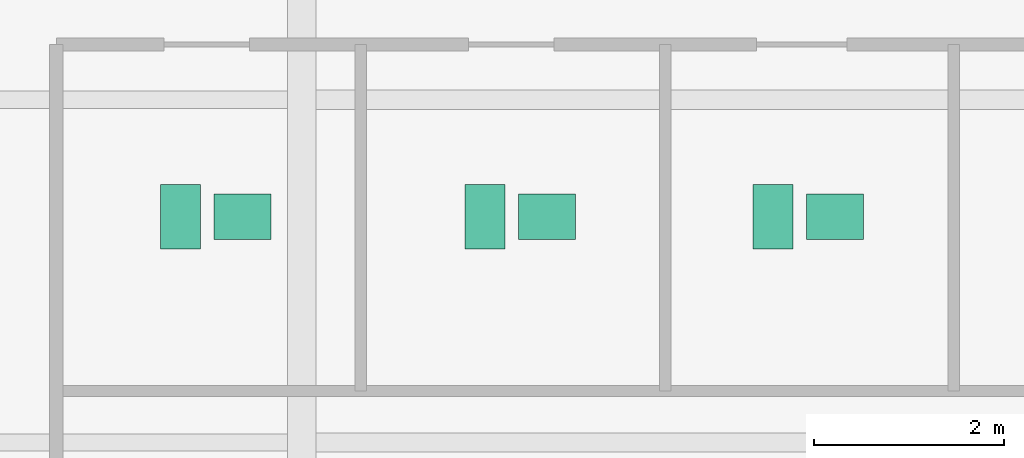
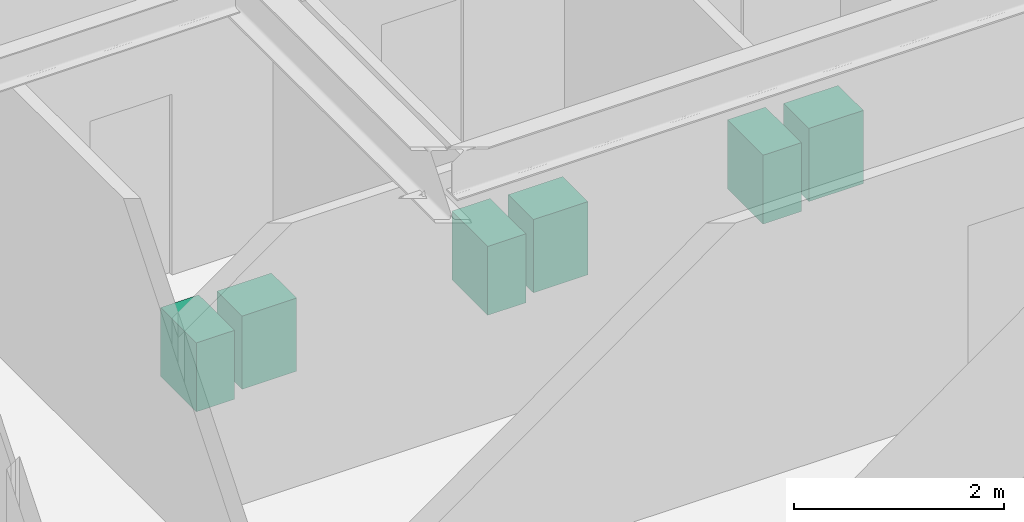
# One storey, part 27 of 27: 6 sanitary terminals.
"""IFC4 building model written with IfcOpenShell, lengths in metres."""

from ifc_helpers import new_model, si_unit, direction, frame, origin, origin_2d, place, context, subcontext, project, spatial, rectangle, extrude, source, transform, mapped, material, type_object, type_shapes, element, save


model = new_model("IFC4")

# Units and contexts
model_context = context("Model", 3, precision=1e-05, world=origin(), true_north=direction((0.0, 1.0)))
body_context = subcontext(model_context, "Body", "Model", "MODEL_VIEW")
ifc_project = project(units=[si_unit("LENGTHUNIT", "METRE"), si_unit("AREAUNIT", "SQUARE_METRE"), si_unit("VOLUMEUNIT", "CUBIC_METRE"), si_unit("PLANEANGLEUNIT", "RADIAN"), si_unit("MASSUNIT", "GRAM", prefix="KILO")], contexts=[model_context])

# Site, building, storey
site_placement = place(None, origin())
site = spatial("IfcSite", under=ifc_project, at=site_placement, CompositionType="ELEMENT")
building_placement = place(site_placement, origin())
building = spatial("IfcBuilding", under=site, at=building_placement, Name="Krantzveldt Concourse Tower", CompositionType="ELEMENT")
storey_placement = place(building_placement, frame((0.0, 0.0, 97.949951171875)))
storey = spatial("IfcBuildingStorey", under=building, at=storey_placement, Name="L23", CompositionType="ELEMENT", Elevation=97.949951171875)

# Sanitary terminals
ifc_material = material(Name="Vitreous china", Category="ceramic")
sanitary_terminal_type_1 = type_object("IfcSanitaryTerminalType", Name="SAN-WC-SUITE", PredefinedType="TOILETPAN", material=ifc_material)
shared_shape_1 = source(origin(), body_context, "Body", "SweptSolid", [
    extrude(rectangle(XDim=0.419921875, YDim=0.679931640625, at=origin_2d()), origin(), (0.0, 0.0, 1.0), 0.800048828125),
])
type_shapes(sanitary_terminal_type_1, [shared_shape_1])
for number, where, z_axis, x_axis, name in (
    (1, (29.324951171875, 32.570068359375, 0.0), (0.0, 0.0, 1.0), (1.0, 0.0, 0.0), "WC-SP-L23-WCM"),
    (2, (32.52490234375, 32.570068359375, 0.0), (0.0, 0.0, 1.0), (1.0, 0.0, 0.0), "WC-SP-L23-WCF"),
    (3, (35.550048828125, 32.570068359375, 0.0), (0.0, 0.0, 1.0), (1.0, 0.0, 0.0), "WC-SP-L23-WCA"),
):
    element("IfcSanitaryTerminal", number, at=place(storey_placement, frame(where, z_axis=z_axis, x_axis=x_axis)), inside=storey, type_object=sanitary_terminal_type_1, Name=name, PredefinedType="TOILETPAN", context=body_context, shape_type="MappedRepresentation", body=[
        mapped(shared_shape_1, transform((0.0, 0.0, 0.0), x_axis=(1.0, 0.0, 0.0), y_axis=(0.0, 1.0, 0.0), z_axis=(0.0, 0.0, 1.0), scale=1.0)),
    ])
sanitary_terminal_type_2 = type_object("IfcSanitaryTerminalType", Name="SAN-BASIN-600", PredefinedType="WASHHANDBASIN", material=ifc_material)
shared_shape_2 = source(origin(), body_context, "Body", "SweptSolid", [
    extrude(rectangle(XDim=0.60009765625, YDim=0.47998046875, at=origin_2d()), origin(), (0.0, 0.0, 1.0), 0.85009765625),
])
type_shapes(sanitary_terminal_type_2, [shared_shape_2])
for number, where, z_axis, x_axis, name in (
    (4, (29.97509765625, 32.570068359375, 0.0048828125), (0.0, 0.0, 1.0), (1.0, 0.0, 0.0), "BSN-SP-L23-WCM"),
    (5, (33.175048828125, 32.570068359375, 0.0048828125), (0.0, 0.0, 1.0), (1.0, 0.0, 0.0), "BSN-SP-L23-WCF"),
    (6, (36.199951171875, 32.570068359375, 0.0048828125), (0.0, 0.0, 1.0), (1.0, 0.0, 0.0), "BSN-SP-L23-WCA"),
):
    element("IfcSanitaryTerminal", number, at=place(storey_placement, frame(where, z_axis=z_axis, x_axis=x_axis)), inside=storey, type_object=sanitary_terminal_type_2, Name=name, PredefinedType="WASHHANDBASIN", context=body_context, shape_type="MappedRepresentation", body=[
        mapped(shared_shape_2, transform((0.0, 0.0, 0.0), x_axis=(1.0, 0.0, 0.0), y_axis=(0.0, 1.0, 0.0), z_axis=(0.0, 0.0, 1.0), scale=1.0)),
    ])

save(model, "model.ifc")
